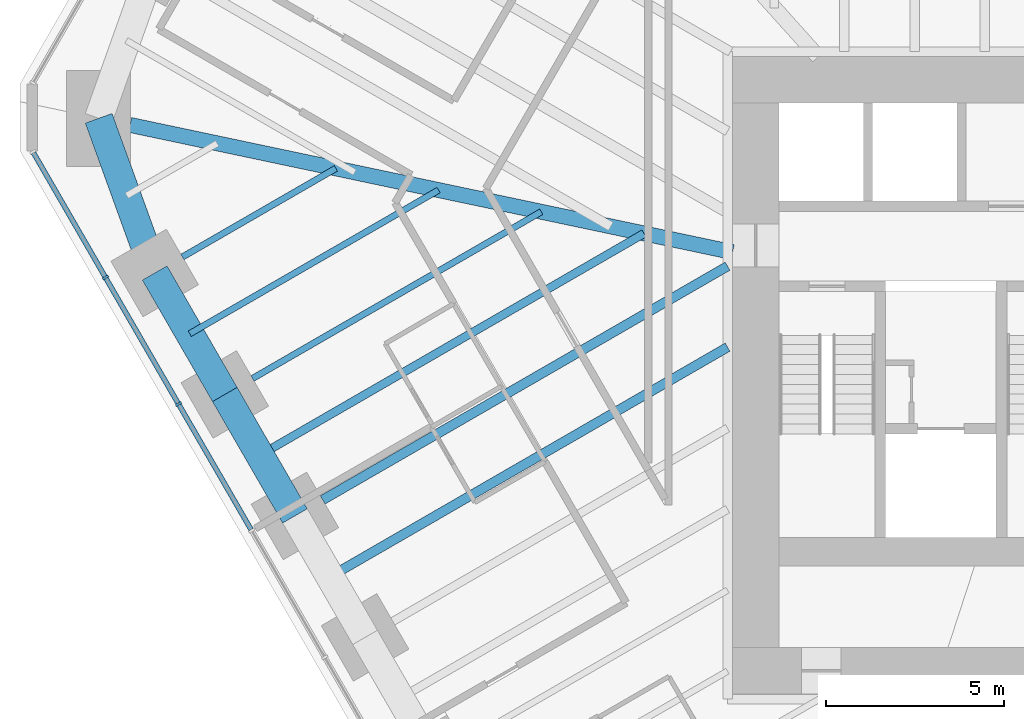
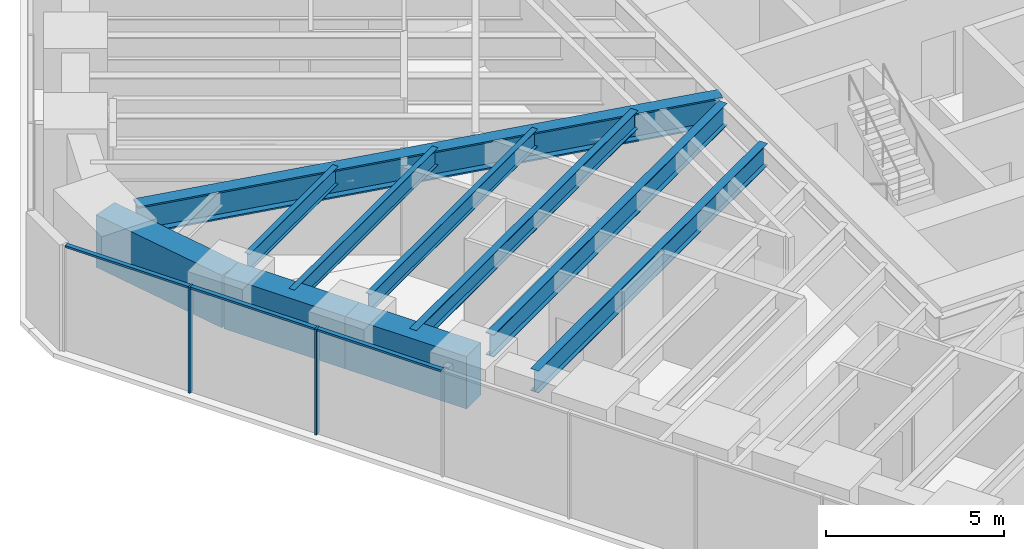
# One storey, part 3 of 17: 10 beams, 5 members, 1 element without a shape of its own.
"""IFC4 building model written with IfcOpenShell, lengths in metres."""

from ifc_helpers import new_model, si_unit, direction, frame, origin, origin_2d, place, context, subcontext, project, spatial, rectangle, i_section, extrude, material, material_profile, profile_set, type_object, element, aggregate, save


model = new_model("IFC4")

# Units and contexts
model_context = context("Model", 3, precision=1e-05, world=origin(), true_north=direction((0.0, 1.0)))
body_context = subcontext(model_context, "Body", "Model", "MODEL_VIEW")
ifc_project = project(units=[si_unit("LENGTHUNIT", "METRE"), si_unit("AREAUNIT", "SQUARE_METRE"), si_unit("VOLUMEUNIT", "CUBIC_METRE"), si_unit("PLANEANGLEUNIT", "RADIAN"), si_unit("MASSUNIT", "GRAM", prefix="KILO")], contexts=[model_context])

# Site, building, storey
site_placement = place(None, origin())
site = spatial("IfcSite", under=ifc_project, at=site_placement, CompositionType="ELEMENT")
building_placement = place(site_placement, origin())
building = spatial("IfcBuilding", under=site, at=building_placement, Name="Sandreach Pilgrim Tower", CompositionType="ELEMENT")
storey_placement = place(building_placement, frame((0.0, 0.0, 123.39990234375)))
storey = spatial("IfcBuildingStorey", under=building, at=storey_placement, Name="L30", CompositionType="ELEMENT", Elevation=123.39990234375)

# Curtain wall, members
ifc_material_1 = material(Name="Aluminium framed curtain wall", Category="aluminium")
curtain_wall_type = type_object("IfcCurtainWallType", Name="Hotel tower curtain wall", PredefinedType="NOTDEFINED", material=ifc_material_1)
curtain_wall_placement = place(storey_placement, origin())
curtain_wall = element("IfcCurtainWall", 1, at=curtain_wall_placement, inside=storey, type_object=curtain_wall_type, Name="CW-2 L30 SW", PredefinedType="NOTDEFINED")
ifc_material_2 = material(Name="Aluminium extrusion", Category="aluminium")
ifc_material_profile_1 = material_profile(ifc_material_2, rectangle(XDim=0.06494140625, YDim=0.179931640625, at=origin_2d()), Name="CW-2M 65X180")
ifc_profile_set_1 = profile_set([ifc_material_profile_1], Name="Aluminium extrusion")
member_type_1 = type_object("IfcMemberType", Name="CW-2 mullion", PredefinedType="MULLION", material=ifc_profile_set_1)
member_1_placement = place(storey_placement, frame((-24.614013671875, -2.35498046875, 0.0), z_axis=(0.0, 0.0, 1.0), x_axis=(-0.5, 0.866025403784, 0.0)))
member_1 = element("IfcMember", 2, at=member_1_placement, type_object=member_type_1, Name="CW-2 mullion 8", PredefinedType="MULLION", context=body_context, shape_type="SweptSolid", body=[
    extrude(rectangle(XDim=0.06494140625, YDim=0.179931640625, at=origin_2d()), origin(), (0.0, 0.0, 1.0), 3.64013671875),
])
member_2_placement = place(storey_placement, frame((-26.66748046875, 1.20166015625, 0.0), z_axis=(0.0, 0.0, 1.0), x_axis=(-0.5, 0.866025403784, 0.0)))
member_2 = element("IfcMember", 3, at=member_2_placement, type_object=member_type_1, Name="CW-2 mullion 9", PredefinedType="MULLION", context=body_context, shape_type="SweptSolid", body=[
    extrude(rectangle(XDim=0.06494140625, YDim=0.179931640625, at=origin_2d()), origin(), (0.0, 0.0, 1.0), 3.64013671875),
])
ifc_material_3 = material(Name="Aluminium extrusion", Category="aluminium")
ifc_material_profile_2 = material_profile(ifc_material_3, rectangle(XDim=0.139892578125, YDim=0.070068359375, at=origin_2d()), Name="CW-2T 140X70")
ifc_profile_set_2 = profile_set([ifc_material_profile_2], Name="Aluminium extrusion")
member_type_2 = type_object("IfcMemberType", Name="CW-2 transom", PredefinedType="USERDEFINED", material=ifc_profile_set_2)
member_3_placement = place(storey_placement, frame((-22.57666015625, -5.883544921875, 3.60498046875), z_axis=(-0.500023973715, 0.866011562111, 0.0), x_axis=(-0.866011562111, -0.500023973715, 0.0)))
member_3 = element("IfcMember", 4, at=member_3_placement, type_object=member_type_2, Name="CW-2 head transom 7", ObjectType="TRANSOM", PredefinedType="USERDEFINED", context=body_context, shape_type="SweptSolid", body=[
    extrude(rectangle(XDim=0.139892578125, YDim=0.070068359375, at=origin_2d()), origin(), (0.0, 0.0, 1.0), 4.041748046875),
])
member_4_placement = place(storey_placement, frame((-24.630126953125, -2.326904296875, 3.60498046875), z_axis=(-0.499997818338, 0.866026663364, 0.0), x_axis=(-0.866026663364, -0.499997818338, 0.0)))
member_4 = element("IfcMember", 5, at=member_4_placement, type_object=member_type_2, Name="CW-2 head transom 8", ObjectType="TRANSOM", PredefinedType="USERDEFINED", context=body_context, shape_type="SweptSolid", body=[
    extrude(rectangle(XDim=0.139892578125, YDim=0.070068359375, at=origin_2d()), origin(), (0.0, 0.0, 1.0), 4.0419921875),
])
member_5_placement = place(storey_placement, frame((-26.68359375, 1.229736328125, 3.60498046875), z_axis=(-0.500015851672, 0.866016251624, 0.0), x_axis=(-0.866016251624, -0.500015851672, 0.0)))
member_5 = element("IfcMember", 6, at=member_5_placement, type_object=member_type_2, Name="CW-2 head transom 9", ObjectType="TRANSOM", PredefinedType="USERDEFINED", context=body_context, shape_type="SweptSolid", body=[
    extrude(rectangle(XDim=0.139892578125, YDim=0.070068359375, at=origin_2d()), origin(), (0.0, 0.0, 1.0), 4.009521484375),
])
aggregate(curtain_wall, [member_1, member_2, member_3, member_4, member_5])

# Beams
ifc_material_4 = material(Name="Steel ASTM A992 Grade 50", Category="steel")
ifc_material_profile_3 = material_profile(ifc_material_4, i_section(OverallWidth=0.424072265625, OverallDepth=0.965087890625, WebThickness=0.028564453125, FlangeThickness=0.051025390625, at=origin_2d()), Name="W36X361")
ifc_profile_set_3 = profile_set([ifc_material_profile_3], Name="Steel ASTM A992 Grade 50")
beam_type_1 = type_object("IfcBeamType", Name="Corner girder W36X361", PredefinedType="BEAM", material=ifc_profile_set_3)
beam_1_placement = place(storey_placement, frame((-25.976806640625, 5.484619140625, 3.157470703125), z_axis=(0.978427882284, -0.206588671447, 0.0), x_axis=(0.206588671447, 0.978427882284, 0.0)))
element("IfcBeam", 7, at=beam_1_placement, inside=storey, type_object=beam_type_1, Name="BM L30 CG35", PredefinedType="BEAM", context=body_context, shape_type="SweptSolid", body=[
    extrude(i_section(OverallWidth=0.424072265625, OverallDepth=0.965087890625, WebThickness=0.028564453125, FlangeThickness=0.051025390625, at=origin_2d()), origin(), (0.0, 0.0, 1.0), 17.300048828125),
])
ifc_material_5 = material(Name="Steel ASTM A992 Grade 50", Category="steel")
ifc_material_profile_4 = material_profile(ifc_material_5, i_section(OverallWidth=0.1787109375, OverallDepth=0.60205078125, WebThickness=0.010986328125, FlangeThickness=0.014892578125, at=origin_2d()), Name="W24X62")
ifc_profile_set_4 = profile_set([ifc_material_profile_4], Name="Steel ASTM A992 Grade 50")
beam_type_2 = type_object("IfcBeamType", Name="Floor beam W24X62", PredefinedType="BEAM", material=ifc_profile_set_4)
beam_2_placement = place(storey_placement, frame((-22.534423828125, -1.63671875, 3.339111328125), z_axis=(0.866012351917, 0.500022605817, 0.0), x_axis=(-0.500022605817, 0.866012351917, 0.0)))
element("IfcBeam", 8, at=beam_2_placement, inside=storey, type_object=beam_type_2, Name="BM L30 F33", PredefinedType="BEAM", context=body_context, shape_type="SweptSolid", body=[
    extrude(i_section(OverallWidth=0.1787109375, OverallDepth=0.60205078125, WebThickness=0.010986328125, FlangeThickness=0.014892578125, at=origin_2d()), origin(), (0.0, 0.0, 1.0), 9.3642578125),
])
beam_3_placement = place(storey_placement, frame((-24.50439453125, 1.775390625, 3.339111328125), z_axis=(0.866024645457, 0.500001313459, 0.0), x_axis=(-0.500001313459, 0.866024645457, 0.0)))
element("IfcBeam", 9, at=beam_3_placement, inside=storey, type_object=beam_type_2, Name="BM L30 F34", PredefinedType="BEAM", context=body_context, shape_type="SweptSolid", body=[
    extrude(i_section(OverallWidth=0.1787109375, OverallDepth=0.60205078125, WebThickness=0.010986328125, FlangeThickness=0.014892578125, at=origin_2d()), origin(), (0.0, 0.0, 1.0), 4.9765625),
])
beam_4_placement = place(storey_placement, frame((-24.298828125, -0.380615234375, 3.339111328125), z_axis=(0.866022864518, 0.500004398112, 0.0), x_axis=(-0.500004398112, 0.866022864518, 0.0)))
element("IfcBeam", 10, at=beam_4_placement, inside=storey, type_object=beam_type_2, Name="BM L30 FM33", PredefinedType="BEAM", context=body_context, shape_type="SweptSolid", body=[
    extrude(i_section(OverallWidth=0.1787109375, OverallDepth=0.60205078125, WebThickness=0.010986328125, FlangeThickness=0.014892578125, at=origin_2d()), origin(), (0.0, 0.0, 1.0), 8.0703125),
])
ifc_material_6 = material(Name="Steel ASTM A992 Grade 50", Category="steel")
ifc_material_profile_5 = material_profile(ifc_material_6, i_section(OverallWidth=0.23046875, OverallDepth=0.6171875, WebThickness=0.01318359375, FlangeThickness=0.022216796875, at=origin_2d()), Name="W24X94")
ifc_profile_set_5 = profile_set([ifc_material_profile_5], Name="Steel ASTM A992 Grade 50")
beam_type_3 = type_object("IfcBeamType", Name="Floor beam W24X94", PredefinedType="BEAM", material=ifc_profile_set_5)
beam_5_placement = place(storey_placement, frame((-22.328857421875, -3.792724609375, 3.33154296875), z_axis=(0.866019150617, 0.500010830648, 0.0), x_axis=(-0.500010830648, 0.866019150617, 0.0)))
element("IfcBeam", 11, at=beam_5_placement, inside=storey, type_object=beam_type_3, Name="BM L30 FM32", PredefinedType="BEAM", context=body_context, shape_type="SweptSolid", body=[
    extrude(i_section(OverallWidth=0.23046875, OverallDepth=0.6171875, WebThickness=0.01318359375, FlangeThickness=0.022216796875, at=origin_2d()), origin(), (0.0, 0.0, 1.0), 12.458251953125),
])
ifc_material_7 = material(Name="Steel ASTM A992 Grade 50", Category="steel")
ifc_material_profile_6 = material_profile(ifc_material_7, i_section(OverallWidth=0.2666015625, OverallDepth=0.761962890625, WebThickness=0.014404296875, FlangeThickness=0.021484375, at=origin_2d()), Name="W30X116")
ifc_profile_set_6 = profile_set([ifc_material_profile_6], Name="Steel ASTM A992 Grade 50")
beam_type_4 = type_object("IfcBeamType", Name="Floor beam W30X116", PredefinedType="BEAM", material=ifc_profile_set_6)
beam_6_placement = place(storey_placement, frame((-20.564453125, -5.048828125, 3.259033203125), z_axis=(0.866022715736, 0.500004655807, 0.0), x_axis=(-0.500004655807, 0.866022715736, 0.0)))
element("IfcBeam", 12, at=beam_6_placement, inside=storey, type_object=beam_type_4, Name="BM L30 F32", PredefinedType="BEAM", context=body_context, shape_type="SweptSolid", body=[
    extrude(i_section(OverallWidth=0.2666015625, OverallDepth=0.761962890625, WebThickness=0.014404296875, FlangeThickness=0.021484375, at=origin_2d()), origin(), (0.0, 0.0, 1.0), 13.130126953125),
])
beam_7_placement = place(storey_placement, frame((-20.35888671875, -7.204833984375, 3.259033203125), z_axis=(0.866021609098, 0.500006572533, 0.0), x_axis=(-0.500006572533, 0.866021609098, 0.0)))
element("IfcBeam", 13, at=beam_7_placement, inside=storey, type_object=beam_type_4, Name="BM L30 FM31", PredefinedType="BEAM", context=body_context, shape_type="SweptSolid", body=[
    extrude(i_section(OverallWidth=0.2666015625, OverallDepth=0.761962890625, WebThickness=0.014404296875, FlangeThickness=0.021484375, at=origin_2d()), origin(), (0.0, 0.0, 1.0), 12.892822265625),
])
ifc_material_8 = material(Name="Concrete 10000 psi", Category="concrete")
ifc_material_profile_7 = material_profile(ifc_material_8, rectangle(XDim=0.800048828125, YDim=1.800048828125, at=origin_2d()), Name="RC800X1800")
ifc_profile_set_7 = profile_set([ifc_material_profile_7], Name="Concrete 10000 psi")
beam_type_5 = type_object("IfcBeamType", Name="Spandrel beam RC800X1800", PredefinedType="SPANDREL", material=ifc_profile_set_7)
for number, where, z_axis, x_axis, name in (
    (14, (-21.343994140625, -5.498779296875, 2.739990234375), (-0.49999779889, 0.866026674592, 0.0), (-0.866026674592, -0.49999779889, 0.0), "BM L30 SP32"),
    (15, (-23.31396484375, -2.086669921875, 2.739990234375), (-0.49999779889, 0.866026674592, 0.0), (-0.866026674592, -0.49999779889, 0.0), "BM L30 SP33"),
):
    element("IfcBeam", number, at=place(storey_placement, frame(where, z_axis=z_axis, x_axis=x_axis)), inside=storey, type_object=beam_type_5, Name=name, PredefinedType="SPANDREL", context=body_context, shape_type="SweptSolid", body=[
        extrude(rectangle(XDim=0.800048828125, YDim=1.800048828125, at=origin_2d()), origin(), (0.0, 0.0, 1.0), 3.93994140625),
    ])
beam_8_placement = place(storey_placement, frame((-25.283935546875, 1.325439453125, 2.739990234375), z_axis=(-0.340453163563, 0.940261476091, 0.0), x_axis=(-0.940261476091, -0.340453163563, 0.0)))
element("IfcBeam", 16, at=beam_8_placement, inside=storey, type_object=beam_type_5, Name="BM L30 SP34", PredefinedType="SPANDREL", context=body_context, shape_type="SweptSolid", body=[
    extrude(rectangle(XDim=0.800048828125, YDim=1.800048828125, at=origin_2d()), origin(), (0.0, 0.0, 1.0), 4.62109375),
])

save(model, "model.ifc")
